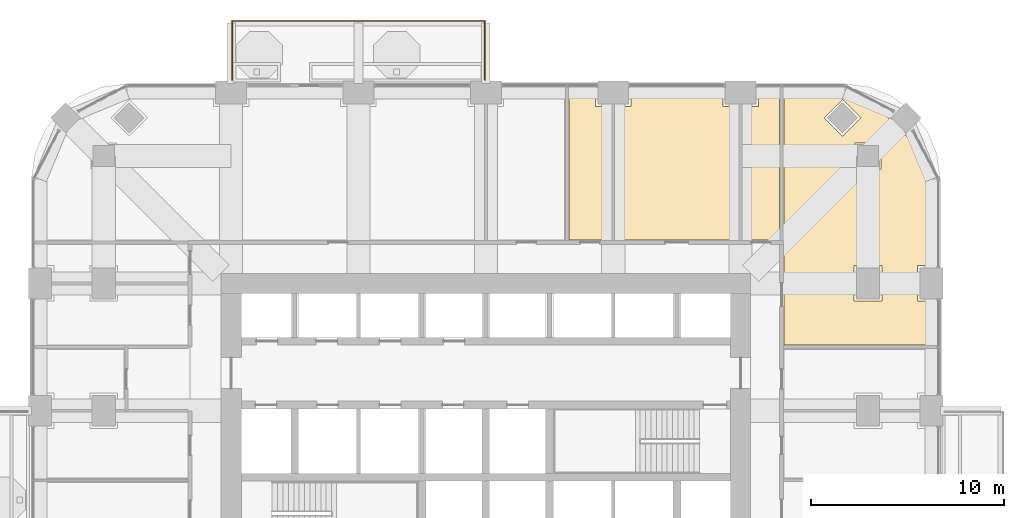
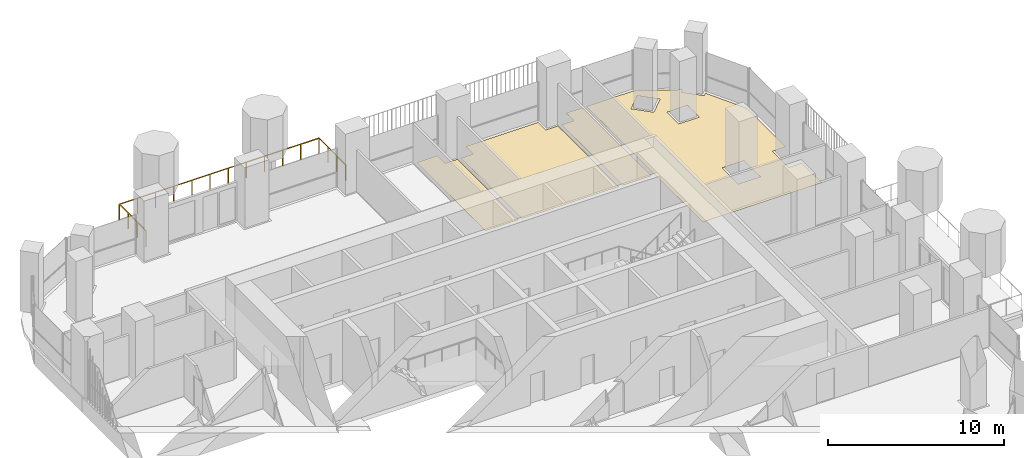
# One storey, part 19 of 20: 4 coverings, 1 railing.
"""IFC4 building model written with IfcOpenShell, lengths in metres."""

from ifc_helpers import new_model, si_unit, direction, frame, origin, place, context, subcontext, project, spatial, polyline, outline, extrude, material, layer, layer_set, type_object, element, save


model = new_model("IFC4")

# Units and contexts
model_context = context("Model", 3, precision=1e-05, world=origin(), true_north=direction((0.0, 1.0)))
body_context = subcontext(model_context, "Body", "Model", "MODEL_VIEW")
ifc_project = project(units=[si_unit("LENGTHUNIT", "METRE"), si_unit("AREAUNIT", "SQUARE_METRE"), si_unit("VOLUMEUNIT", "CUBIC_METRE"), si_unit("PLANEANGLEUNIT", "RADIAN"), si_unit("MASSUNIT", "GRAM", prefix="KILO")], contexts=[model_context])

# Site, building, storey
site_placement = place(None, origin())
site = spatial("IfcSite", under=ifc_project, at=site_placement, CompositionType="ELEMENT")
building_placement = place(site_placement, origin())
building = spatial("IfcBuilding", under=site, at=building_placement, Name="Cobogo Forest Laboratory Tower", CompositionType="ELEMENT")
storey_placement = place(building_placement, frame((0.0, 0.0, 185.10009765625)))
storey = spatial("IfcBuildingStorey", under=building, at=storey_placement, Name="L42", CompositionType="ELEMENT", Elevation=185.10009765625)

# Railing
ifc_material_1 = material(Name="Laminated glass balustrade", Category="glass")
railing_type = type_object("IfcRailingType", Name="BG1 glass balustrade 1100", PredefinedType="GUARDRAIL", material=ifc_material_1)
railing_placement = place(storey_placement, frame((13.25, 43.550048828125, 0.0)))
element("IfcRailing", 1, at=railing_placement, inside=storey, type_object=railing_type, Name="Balcony balustrade BAL-N1 L42", PredefinedType="GUARDRAIL", context=body_context, shape_type="SweptSolid", body=[
    extrude(outline(polyline([(0.022216796875, 0.00927734375), (0.00927734375, 0.022216796875), (-0.00927734375, 0.022216796875), (-0.022216796875, 0.00927734375), (-0.022216796875, -0.00927734375), (-0.00927734375, -0.022216796875), (0.00927734375, -0.022216796875), (0.022216796875, -0.00927734375), (0.022216796875, 0.00927734375)])), frame((0.0, 0.0, 1.077880859375), z_axis=(0.0, 1.0, 0.0), x_axis=(-1.0, 0.0, 0.0)), (0.0, 0.0, 1.0), 3.050048828125),
    extrude(outline(polyline([(0.022216796875, 0.00927734375), (0.00927734375, 0.022216796875), (-0.00927734375, 0.022216796875), (-0.022216796875, 0.00927734375), (-0.022216796875, -0.00927734375), (-0.00927734375, -0.022216796875), (0.00927734375, -0.022216796875), (0.022216796875, -0.00927734375), (0.022216796875, 0.00927734375)])), frame((0.0, 3.050048828125, 1.077880859375), z_axis=(1.0, 0.0, 0.0), x_axis=(0.0, 1.0, 0.0)), (0.0, 0.0, 1.0), 13.10009765625),
    extrude(outline(polyline([(0.022216796875, 0.00927734375), (0.00927734375, 0.022216796875), (-0.00927734375, 0.022216796875), (-0.022216796875, 0.00927734375), (-0.022216796875, -0.00927734375), (-0.00927734375, -0.022216796875), (0.00927734375, -0.022216796875), (0.022216796875, -0.00927734375), (0.022216796875, 0.00927734375)])), frame((13.10009765625, 3.050048828125, 1.077880859375), z_axis=(0.0, -1.0, 0.0), x_axis=(1.0, 0.0, 0.0)), (0.0, 0.0, 1.0), 3.050048828125),
    extrude(outline(polyline([(0.019287109375, 0.008056640625), (0.008056640625, 0.019287109375), (-0.008056640625, 0.019287109375), (-0.019287109375, 0.008056640625), (-0.019287109375, -0.008056640625), (-0.008056640625, -0.019287109375), (0.008056640625, -0.019287109375), (0.019287109375, -0.008056640625), (0.019287109375, 0.008056640625)])), origin(), (0.0, 0.0, 1.0), 1.077880859375),
    extrude(outline(polyline([(0.019287109375, 0.008056640625), (0.008056640625, 0.019287109375), (-0.008056640625, 0.019287109375), (-0.019287109375, 0.008056640625), (-0.019287109375, -0.008056640625), (-0.008056640625, -0.019287109375), (0.008056640625, -0.019287109375), (0.019287109375, -0.008056640625), (0.019287109375, 0.008056640625)])), frame((0.0, 1.0166015625, 0.0)), (0.0, 0.0, 1.0), 1.077880859375),
    extrude(outline(polyline([(0.019287109375, 0.008056640625), (0.008056640625, 0.019287109375), (-0.008056640625, 0.019287109375), (-0.019287109375, 0.008056640625), (-0.019287109375, -0.008056640625), (-0.008056640625, -0.019287109375), (0.008056640625, -0.019287109375), (0.019287109375, -0.008056640625), (0.019287109375, 0.008056640625)])), frame((0.0, 2.033447265625, 0.0)), (0.0, 0.0, 1.0), 1.077880859375),
    extrude(outline(polyline([(0.019287109375, 0.008056640625), (0.008056640625, 0.019287109375), (-0.008056640625, 0.019287109375), (-0.019287109375, 0.008056640625), (-0.019287109375, -0.008056640625), (-0.008056640625, -0.019287109375), (0.008056640625, -0.019287109375), (0.019287109375, -0.008056640625), (0.019287109375, 0.008056640625)])), frame((0.0, 3.050048828125, 0.0)), (0.0, 0.0, 1.0), 1.077880859375),
    extrude(outline(polyline([(0.019287109375, 0.008056640625), (0.008056640625, 0.019287109375), (-0.008056640625, 0.019287109375), (-0.019287109375, 0.008056640625), (-0.019287109375, -0.008056640625), (-0.008056640625, -0.019287109375), (0.008056640625, -0.019287109375), (0.019287109375, -0.008056640625), (0.019287109375, 0.008056640625)])), frame((1.19091796875, 3.050048828125, 0.0)), (0.0, 0.0, 1.0), 1.077880859375),
    extrude(outline(polyline([(0.019287109375, 0.008056640625), (0.008056640625, 0.019287109375), (-0.008056640625, 0.019287109375), (-0.019287109375, 0.008056640625), (-0.019287109375, -0.008056640625), (-0.008056640625, -0.019287109375), (0.008056640625, -0.019287109375), (0.019287109375, -0.008056640625), (0.019287109375, 0.008056640625)])), frame((2.3818359375, 3.050048828125, 0.0)), (0.0, 0.0, 1.0), 1.077880859375),
    extrude(outline(polyline([(0.019287109375, 0.008056640625), (0.008056640625, 0.019287109375), (-0.008056640625, 0.019287109375), (-0.019287109375, 0.008056640625), (-0.019287109375, -0.008056640625), (-0.008056640625, -0.019287109375), (0.008056640625, -0.019287109375), (0.019287109375, -0.008056640625), (0.019287109375, 0.008056640625)])), frame((3.57275390625, 3.050048828125, 0.0)), (0.0, 0.0, 1.0), 1.077880859375),
    extrude(outline(polyline([(0.019287109375, 0.008056640625), (0.008056640625, 0.019287109375), (-0.008056640625, 0.019287109375), (-0.019287109375, 0.008056640625), (-0.019287109375, -0.008056640625), (-0.008056640625, -0.019287109375), (0.008056640625, -0.019287109375), (0.019287109375, -0.008056640625), (0.019287109375, 0.008056640625)])), frame((4.763671875, 3.050048828125, 0.0)), (0.0, 0.0, 1.0), 1.077880859375),
    extrude(outline(polyline([(0.019287109375, 0.008056640625), (0.008056640625, 0.019287109375), (-0.008056640625, 0.019287109375), (-0.019287109375, 0.008056640625), (-0.019287109375, -0.008056640625), (-0.008056640625, -0.019287109375), (0.008056640625, -0.019287109375), (0.019287109375, -0.008056640625), (0.019287109375, 0.008056640625)])), frame((5.95458984375, 3.050048828125, 0.0)), (0.0, 0.0, 1.0), 1.077880859375),
    extrude(outline(polyline([(0.019287109375, 0.008056640625), (0.008056640625, 0.019287109375), (-0.008056640625, 0.019287109375), (-0.019287109375, 0.008056640625), (-0.019287109375, -0.008056640625), (-0.008056640625, -0.019287109375), (0.008056640625, -0.019287109375), (0.019287109375, -0.008056640625), (0.019287109375, 0.008056640625)])), frame((7.1455078125, 3.050048828125, 0.0)), (0.0, 0.0, 1.0), 1.077880859375),
    extrude(outline(polyline([(0.019287109375, 0.008056640625), (0.008056640625, 0.019287109375), (-0.008056640625, 0.019287109375), (-0.019287109375, 0.008056640625), (-0.019287109375, -0.008056640625), (-0.008056640625, -0.019287109375), (0.008056640625, -0.019287109375), (0.019287109375, -0.008056640625), (0.019287109375, 0.008056640625)])), frame((8.33642578125, 3.050048828125, 0.0)), (0.0, 0.0, 1.0), 1.077880859375),
    extrude(outline(polyline([(0.019287109375, 0.008056640625), (0.008056640625, 0.019287109375), (-0.008056640625, 0.019287109375), (-0.019287109375, 0.008056640625), (-0.019287109375, -0.008056640625), (-0.008056640625, -0.019287109375), (0.008056640625, -0.019287109375), (0.019287109375, -0.008056640625), (0.019287109375, 0.008056640625)])), frame((9.52734375, 3.050048828125, 0.0)), (0.0, 0.0, 1.0), 1.077880859375),
    extrude(outline(polyline([(0.019287109375, 0.008056640625), (0.008056640625, 0.019287109375), (-0.008056640625, 0.019287109375), (-0.019287109375, 0.008056640625), (-0.019287109375, -0.008056640625), (-0.008056640625, -0.019287109375), (0.008056640625, -0.019287109375), (0.019287109375, -0.008056640625), (0.019287109375, 0.008056640625)])), frame((10.71826171875, 3.050048828125, 0.0)), (0.0, 0.0, 1.0), 1.077880859375),
    extrude(outline(polyline([(0.019287109375, 0.008056640625), (0.008056640625, 0.019287109375), (-0.008056640625, 0.019287109375), (-0.019287109375, 0.008056640625), (-0.019287109375, -0.008056640625), (-0.008056640625, -0.019287109375), (0.008056640625, -0.019287109375), (0.019287109375, -0.008056640625), (0.019287109375, 0.008056640625)])), frame((11.9091796875, 3.050048828125, 0.0)), (0.0, 0.0, 1.0), 1.077880859375),
    extrude(outline(polyline([(0.019287109375, 0.008056640625), (0.008056640625, 0.019287109375), (-0.008056640625, 0.019287109375), (-0.019287109375, 0.008056640625), (-0.019287109375, -0.008056640625), (-0.008056640625, -0.019287109375), (0.008056640625, -0.019287109375), (0.019287109375, -0.008056640625), (0.019287109375, 0.008056640625)])), frame((13.10009765625, 3.050048828125, 0.0)), (0.0, 0.0, 1.0), 1.077880859375),
    extrude(outline(polyline([(0.019287109375, 0.008056640625), (0.008056640625, 0.019287109375), (-0.008056640625, 0.019287109375), (-0.019287109375, 0.008056640625), (-0.019287109375, -0.008056640625), (-0.008056640625, -0.019287109375), (0.008056640625, -0.019287109375), (0.019287109375, -0.008056640625), (0.019287109375, 0.008056640625)])), frame((13.10009765625, 2.033447265625, 0.0)), (0.0, 0.0, 1.0), 1.077880859375),
    extrude(outline(polyline([(0.019287109375, 0.008056640625), (0.008056640625, 0.019287109375), (-0.008056640625, 0.019287109375), (-0.019287109375, 0.008056640625), (-0.019287109375, -0.008056640625), (-0.008056640625, -0.019287109375), (0.008056640625, -0.019287109375), (0.019287109375, -0.008056640625), (0.019287109375, 0.008056640625)])), frame((13.10009765625, 1.0166015625, 0.0)), (0.0, 0.0, 1.0), 1.077880859375),
    extrude(outline(polyline([(0.019287109375, 0.008056640625), (0.008056640625, 0.019287109375), (-0.008056640625, 0.019287109375), (-0.019287109375, 0.008056640625), (-0.019287109375, -0.008056640625), (-0.008056640625, -0.019287109375), (0.008056640625, -0.019287109375), (0.019287109375, -0.008056640625), (0.019287109375, 0.008056640625)])), frame((13.10009765625, 0.0, 0.0)), (0.0, 0.0, 1.0), 1.077880859375),
])

# Coverings
ifc_material_2 = material(Name="Carpet tile on raised access floor", Category="flooring")
ifc_layer_1 = layer(ifc_material_2, 0.008056640625)
ifc_layer_set_1 = layer_set([ifc_layer_1], Name="CT1 carpet tile floor 8")
covering_type_1 = type_object("IfcCoveringType", Name="CT1 carpet tile floor 8", PredefinedType="FLOORING", material=ifc_layer_set_1)
covering_1_placement = place(storey_placement, origin())
element("IfcCovering", 2, at=covering_1_placement, inside=storey, type_object=covering_type_1, Name="Carpet floor L42-16", PredefinedType="FLOORING", context=body_context, shape_type="SweptSolid", body=[
    extrude(outline(polyline([(39.719970703125, 35.2451171875), (39.719970703125, 42.179931640625), (40.52001953125, 42.179931640625), (40.52001953125, 43.050048828125), (41.60498046875, 43.050048828125), (41.60498046875, 35.2451171875), (39.719970703125, 35.2451171875)])), origin(), (0.0, 0.0, 1.0), 0.0078125),
])
ifc_material_3 = material(Name="Static-dissipative vinyl flooring", Category="flooring")
ifc_layer_2 = layer(ifc_material_3, 0.0029296875)
ifc_layer_set_2 = layer_set([ifc_layer_2], Name="SD1 static-dissipative vinyl floor 3")
covering_type_2 = type_object("IfcCoveringType", Name="SD1 static-dissipative vinyl floor 3", PredefinedType="FLOORING", material=ifc_layer_set_2)
covering_2_placement = place(storey_placement, origin())
element("IfcCovering", 3, at=covering_2_placement, inside=storey, type_object=covering_type_2, Name="Static-dissipative floor L42-11", PredefinedType="FLOORING", context=body_context, shape_type="SweptSolid", body=[
    extrude(outline(polyline([(41.844970703125, 43.050048828125), (44.95068359375, 43.050048828125), (47.412109375, 41.759765625), (47.234375, 41.58203125), (48.181884765625, 40.634521484375), (48.359619140625, 40.812255859375), (49.64990234375, 38.350830078125), (49.64990234375, 33.919921875), (48.780029296875, 33.919921875), (48.780029296875, 32.080078125), (49.64990234375, 32.080078125), (49.64990234375, 29.820068359375), (41.844970703125, 29.820068359375), (41.844970703125, 43.050048828125)]), holes=[polyline([(46.919921875, 32.080078125), (46.919921875, 33.919921875), (45.47998046875, 33.919921875), (45.47998046875, 32.080078125), (46.919921875, 32.080078125)]), polyline([(45.530029296875, 40.27001953125), (45.530029296875, 38.929931640625), (46.8701171875, 38.929931640625), (46.8701171875, 40.27001953125), (45.530029296875, 40.27001953125)]), polyline([(44.882080078125, 40.634521484375), (45.82958984375, 41.58203125), (44.882080078125, 42.529541015625), (43.9345703125, 41.58203125), (44.882080078125, 40.634521484375)])]), origin(), (0.0, 0.0, 1.0), 0.0029296875),
])
covering_3_placement = place(storey_placement, origin())
element("IfcCovering", 4, at=covering_3_placement, inside=storey, type_object=covering_type_2, Name="Static-dissipative floor L42-15", PredefinedType="FLOORING", context=body_context, shape_type="SweptSolid", body=[
    extrude(outline(polyline([(33.1201171875, 35.2451171875), (33.1201171875, 42.179931640625), (33.919921875, 42.179931640625), (33.919921875, 43.050048828125), (38.679931640625, 43.050048828125), (38.679931640625, 42.179931640625), (39.47998046875, 42.179931640625), (39.47998046875, 35.2451171875), (33.1201171875, 35.2451171875)])), origin(), (0.0, 0.0, 1.0), 0.0029296875),
])
ifc_material_4 = material(Name="Ceramic floor tile", Category="flooring")
ifc_layer_3 = layer(ifc_material_4, 0.010009765625)
ifc_layer_set_3 = layer_set([ifc_layer_3], Name="TF1 ceramic tile floor 10")
covering_type_3 = type_object("IfcCoveringType", Name="TF1 ceramic tile floor 10", PredefinedType="FLOORING", material=ifc_layer_set_3)
covering_4_placement = place(storey_placement, origin())
element("IfcCovering", 5, at=covering_4_placement, inside=storey, type_object=covering_type_3, Name="Tile floor L42-14", PredefinedType="FLOORING", context=body_context, shape_type="SweptSolid", body=[
    extrude(outline(polyline([(30.719970703125, 35.2451171875), (30.719970703125, 43.050048828125), (32.080078125, 43.050048828125), (32.080078125, 42.179931640625), (32.8798828125, 42.179931640625), (32.8798828125, 35.2451171875), (30.719970703125, 35.2451171875)])), origin(), (0.0, 0.0, 1.0), 0.010009765625),
])

save(model, "model.ifc")
